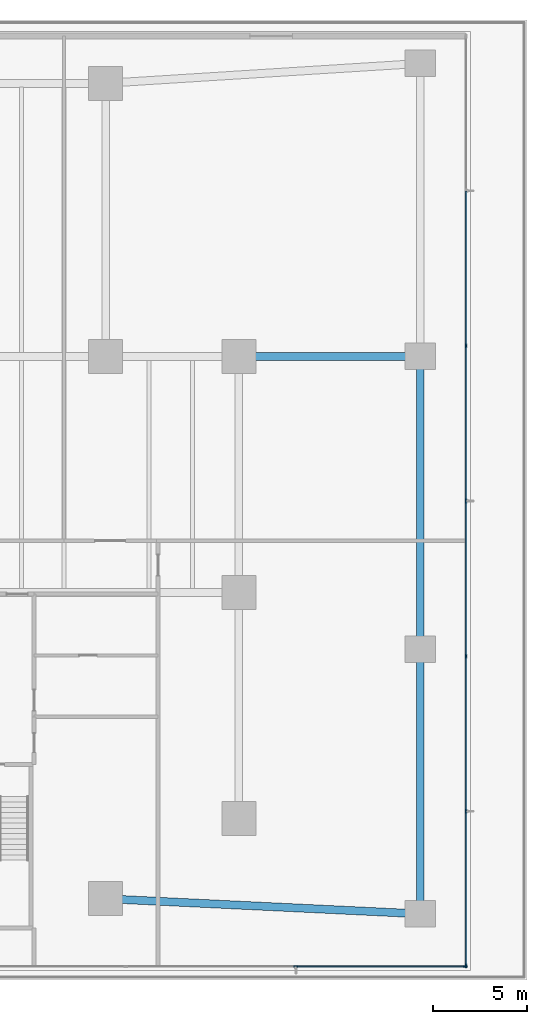
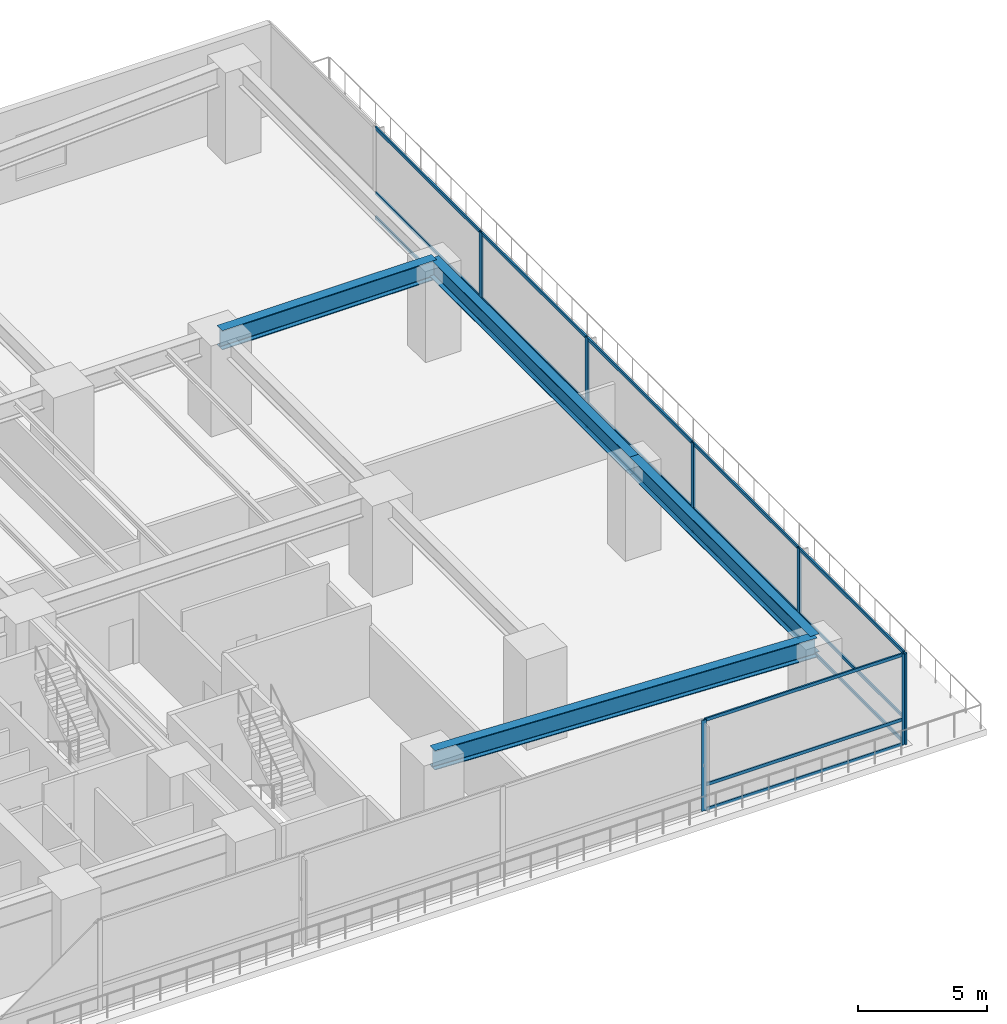
# One storey, part 7 of 28: 25 members, 4 beams, 2 elements without a shape of their own.
"""IFC4 building model written with IfcOpenShell, lengths in metres."""

from ifc_helpers import new_model, si_unit, direction, frame, origin, origin_2d, place, context, subcontext, project, spatial, rectangle, i_section, extrude, material, layer, layer_set, material_profile, profile_set, type_object, element, aggregate, save


model = new_model("IFC4")

# Units and contexts
model_context = context("Model", 3, precision=1e-05, world=origin(), true_north=direction((0.0, 1.0)))
body_context = subcontext(model_context, "Body", "Model", "MODEL_VIEW")
ifc_project = project(units=[si_unit("LENGTHUNIT", "METRE"), si_unit("AREAUNIT", "SQUARE_METRE"), si_unit("VOLUMEUNIT", "CUBIC_METRE"), si_unit("PLANEANGLEUNIT", "RADIAN"), si_unit("MASSUNIT", "GRAM", prefix="KILO")], contexts=[model_context])

# Site, building, storey
site_placement = place(None, origin())
site = spatial("IfcSite", under=ifc_project, at=site_placement, CompositionType="ELEMENT")
building_placement = place(site_placement, origin())
building = spatial("IfcBuilding", under=site, at=building_placement, Name="Qalmaran Belvedere Hotel", CompositionType="ELEMENT")
storey_placement = place(building_placement, frame((0.0, 0.0, 10.0)))
storey = spatial("IfcBuildingStorey", under=building, at=storey_placement, Name="L02", CompositionType="ELEMENT", Elevation=10.0)

# Beams
ifc_material_1 = material(Name="Steel S355JR", Category="steel")
ifc_material_profile_1 = material_profile(ifc_material_1, i_section(OverallWidth=0.419921875, OverallDepth=0.9208984375, WebThickness=0.021240234375, FlangeThickness=0.03662109375, FilletRadius=0.02392578125, at=origin_2d()), Name="W920X387")
ifc_profile_set_1 = profile_set([ifc_material_profile_1], Name="Steel S355JR")
beam_type_1 = type_object("IfcBeamType", Name="BM-PG1-W920X387", PredefinedType="USERDEFINED", material=ifc_profile_set_1)
beam_1_placement = place(storey_placement, frame((53.699951171875, 4.300048828125, 3.839599609375), z_axis=(0.998847567159, -0.047995182885, 0.0), x_axis=(0.047995182885, 0.998847567159, 0.0)))
element("IfcBeam", 1, at=beam_1_placement, inside=storey, type_object=beam_type_1, Name="L02 Podium Primary Girder GX06", ObjectType="GIRDER", PredefinedType="USERDEFINED", context=body_context, shape_type="SweptSolid", body=[
    extrude(i_section(OverallWidth=0.419921875, OverallDepth=0.9208984375, WebThickness=0.021240234375, FlangeThickness=0.03662109375, FilletRadius=0.02392578125, at=origin_2d()), origin(), (0.0, 0.0, 1.0), 16.66943359375),
])
beam_2_placement = place(storey_placement, frame((60.75, 33.0, 3.839599609375), z_axis=(1.0, 0.0, 0.0), x_axis=(0.0, 1.0, 0.0)))
element("IfcBeam", 2, at=beam_2_placement, inside=storey, type_object=beam_type_1, Name="L02 Podium Primary Girder GX21", ObjectType="GIRDER", PredefinedType="USERDEFINED", context=body_context, shape_type="SweptSolid", body=[
    extrude(i_section(OverallWidth=0.419921875, OverallDepth=0.9208984375, WebThickness=0.021240234375, FlangeThickness=0.03662109375, FilletRadius=0.02392578125, at=origin_2d()), origin(), (0.0, 0.0, 1.0), 9.60009765625),
])
ifc_material_profile_2 = material_profile(ifc_material_1, i_section(OverallWidth=0.39990234375, OverallDepth=0.85498046875, WebThickness=0.018310546875, FlangeThickness=0.029296875, FilletRadius=0.02392578125, at=origin_2d()), Name="W840X299")
ifc_profile_set_2 = profile_set([ifc_material_profile_2], Name="Steel S355JR")
beam_type_2 = type_object("IfcBeamType", Name="BM-PG3-W840X299", PredefinedType="USERDEFINED", material=ifc_profile_set_2)
beam_3_placement = place(storey_placement, frame((70.35009765625, 3.5, 3.87255859375), z_axis=(0.0, 1.0, 0.0), x_axis=(-1.0, 0.0, 0.0)))
element("IfcBeam", 3, at=beam_3_placement, inside=storey, type_object=beam_type_2, Name="L02 Podium Transverse Girder GY50", ObjectType="GIRDER", PredefinedType="USERDEFINED", context=body_context, shape_type="SweptSolid", body=[
    extrude(i_section(OverallWidth=0.39990234375, OverallDepth=0.85498046875, WebThickness=0.018310546875, FlangeThickness=0.029296875, FilletRadius=0.02392578125, at=origin_2d()), origin(), (0.0, 0.0, 1.0), 14.0),
])
beam_4_placement = place(storey_placement, frame((70.35009765625, 17.5, 3.87255859375), z_axis=(0.0, 1.0, 0.0), x_axis=(-1.0, 0.0, 0.0)))
element("IfcBeam", 4, at=beam_4_placement, inside=storey, type_object=beam_type_2, Name="L02 Podium Transverse Girder GY51", ObjectType="GIRDER", PredefinedType="USERDEFINED", context=body_context, shape_type="SweptSolid", body=[
    extrude(i_section(OverallWidth=0.39990234375, OverallDepth=0.85498046875, WebThickness=0.018310546875, FlangeThickness=0.029296875, FilletRadius=0.02392578125, at=origin_2d()), origin(), (0.0, 0.0, 1.0), 15.5),
])

# Curtain wall, members
ifc_material_2 = material(Name="Anodised Bronze Aluminium", Category="aluminium")
ifc_layer = layer(ifc_material_2, 0.219970703125, Name="Anodised Bronze Aluminium")
ifc_layer_set = layer_set([ifc_layer], Name="Anodised Bronze Aluminium")
curtain_wall_type = type_object("IfcCurtainWallType", Name="CW1-PODIUM-BRONZE", PredefinedType="NOTDEFINED", material=ifc_layer_set)
curtain_wall_1_placement = place(storey_placement, origin())
curtain_wall_1 = element("IfcCurtainWall", 5, at=curtain_wall_1_placement, inside=storey, type_object=curtain_wall_type, Name="L02 Curtain Wall CW1", PredefinedType="NOTDEFINED")
ifc_material_profile_3 = material_profile(ifc_material_2, rectangle(XDim=0.074951171875, YDim=0.219970703125, at=origin_2d()), Name="CWM75X220")
ifc_profile_set_3 = profile_set([ifc_material_profile_3], Name="Anodised Bronze Aluminium")
member_type_1 = type_object("IfcMemberType", Name="CWM-75X220", PredefinedType="MULLION", material=ifc_profile_set_3)
member_1_placement = place(storey_placement, frame((63.7724609375, 0.719970703125, 0.0), z_axis=(0.0, 0.0, 1.0), x_axis=(0.0, 1.0, 0.0)))
member_1 = element("IfcMember", 6, at=member_1_placement, type_object=member_type_1, Name="CW1 mullion 8", PredefinedType="MULLION", context=body_context, shape_type="SweptSolid", body=[
    extrude(rectangle(XDim=0.074951171875, YDim=0.219970703125, at=origin_2d()), origin(), (0.0, 0.0, 1.0), 4.300048828125),
])
member_2_placement = place(storey_placement, frame((72.742431640625, 0.719970703125, 0.0), z_axis=(0.0, 0.0, 1.0), x_axis=(0.0, 1.0, 0.0)))
member_2 = element("IfcMember", 7, at=member_2_placement, type_object=member_type_1, Name="CW1 mullion 9", PredefinedType="MULLION", context=body_context, shape_type="SweptSolid", body=[
    extrude(rectangle(XDim=0.074951171875, YDim=0.219970703125, at=origin_2d()), origin(), (0.0, 0.0, 1.0), 4.300048828125),
])

curtain_wall_2_placement = place(storey_placement, origin())
curtain_wall_2 = element("IfcCurtainWall", 8, at=curtain_wall_2_placement, inside=storey, type_object=curtain_wall_type, Name="L02 Curtain Wall CW1", PredefinedType="NOTDEFINED")
member_3_placement = place(storey_placement, frame((72.780029296875, 0.757568359375, 0.0), z_axis=(0.0, 0.0, 1.0), x_axis=(-1.0, 0.0, 0.0)))
member_3 = element("IfcMember", 9, at=member_3_placement, type_object=member_type_1, Name="CW1 mullion 1", PredefinedType="MULLION", context=body_context, shape_type="SweptSolid", body=[
    extrude(rectangle(XDim=0.074951171875, YDim=0.219970703125, at=origin_2d()), origin(), (0.0, 0.0, 1.0), 4.300048828125),
])
member_4_placement = place(storey_placement, frame((72.780029296875, 8.929931640625, 0.0), z_axis=(0.0, 0.0, 1.0), x_axis=(-1.0, 0.0, 0.0)))
member_4 = element("IfcMember", 10, at=member_4_placement, type_object=member_type_1, Name="CW1 mullion 2", PredefinedType="MULLION", context=body_context, shape_type="SweptSolid", body=[
    extrude(rectangle(XDim=0.074951171875, YDim=0.219970703125, at=origin_2d()), origin(), (0.0, 0.0, 1.0), 4.300048828125),
])
member_5_placement = place(storey_placement, frame((72.780029296875, 17.139892578125, 0.0), z_axis=(0.0, 0.0, 1.0), x_axis=(-1.0, 0.0, 0.0)))
member_5 = element("IfcMember", 11, at=member_5_placement, type_object=member_type_1, Name="CW1 mullion 3", PredefinedType="MULLION", context=body_context, shape_type="SweptSolid", body=[
    extrude(rectangle(XDim=0.074951171875, YDim=0.219970703125, at=origin_2d()), origin(), (0.0, 0.0, 1.0), 4.300048828125),
])
member_6_placement = place(storey_placement, frame((72.780029296875, 25.35009765625, 0.0), z_axis=(0.0, 0.0, 1.0), x_axis=(-1.0, 0.0, 0.0)))
member_6 = element("IfcMember", 12, at=member_6_placement, type_object=member_type_1, Name="CW1 mullion 4", PredefinedType="MULLION", context=body_context, shape_type="SweptSolid", body=[
    extrude(rectangle(XDim=0.074951171875, YDim=0.219970703125, at=origin_2d()), origin(), (0.0, 0.0, 1.0), 4.300048828125),
])
member_7_placement = place(storey_placement, frame((72.780029296875, 33.56005859375, 0.0), z_axis=(0.0, 0.0, 1.0), x_axis=(-1.0, 0.0, 0.0)))
member_7 = element("IfcMember", 13, at=member_7_placement, type_object=member_type_1, Name="CW1 mullion 5", PredefinedType="MULLION", context=body_context, shape_type="SweptSolid", body=[
    extrude(rectangle(XDim=0.074951171875, YDim=0.219970703125, at=origin_2d()), origin(), (0.0, 0.0, 1.0), 4.300048828125),
])

# Member
ifc_material_profile_4 = material_profile(ifc_material_2, rectangle(XDim=0.070068359375, YDim=0.14990234375, at=origin_2d()), Name="CWT70X150")
ifc_profile_set_4 = profile_set([ifc_material_profile_4], Name="Anodised Bronze Aluminium")
member_type_2 = type_object("IfcMemberType", Name="CWT-70X150", PredefinedType="USERDEFINED", material=ifc_profile_set_4)
member_8_placement = place(storey_placement, frame((63.81005859375, 0.719970703125, 0.034912109375), z_axis=(1.0, 0.0, 0.0), x_axis=(0.0, 1.0, 0.0)))
member_8 = element("IfcMember", 14, at=member_8_placement, type_object=member_type_2, Name="CW1 transom 8.1", ObjectType="TRANSOM", PredefinedType="USERDEFINED", context=body_context, shape_type="SweptSolid", body=[
    extrude(rectangle(XDim=0.070068359375, YDim=0.14990234375, at=origin_2d()), origin(), (0.0, 0.0, 1.0), 8.89501953125),
])

member_9_placement = place(storey_placement, frame((63.81005859375, 0.719970703125, 1.2041015625), z_axis=(1.0, 0.0, 0.0), x_axis=(0.0, 1.0, 0.0)))
member_9 = element("IfcMember", 15, at=member_9_placement, type_object=member_type_2, Name="CW1 transom 8.2", ObjectType="TRANSOM", PredefinedType="USERDEFINED", context=body_context, shape_type="SweptSolid", body=[
    extrude(rectangle(XDim=0.070068359375, YDim=0.14990234375, at=origin_2d()), origin(), (0.0, 0.0, 1.0), 8.89501953125),
])

member_10_placement = place(storey_placement, frame((63.81005859375, 0.719970703125, 4.264892578125), z_axis=(1.0, 0.0, 0.0), x_axis=(0.0, 1.0, 0.0)))
member_10 = element("IfcMember", 16, at=member_10_placement, type_object=member_type_2, Name="CW1 transom 8.3", ObjectType="TRANSOM", PredefinedType="USERDEFINED", context=body_context, shape_type="SweptSolid", body=[
    extrude(rectangle(XDim=0.070068359375, YDim=0.14990234375, at=origin_2d()), origin(), (0.0, 0.0, 1.0), 8.89501953125),
])

aggregate(curtain_wall_1, [member_1, member_2, member_8, member_9, member_10])

member_11_placement = place(storey_placement, frame((72.780029296875, 0.794921875, 0.034912109375), z_axis=(0.0, 1.0, 0.0), x_axis=(-1.0, 0.0, 0.0)))
member_11 = element("IfcMember", 17, at=member_11_placement, type_object=member_type_2, Name="CW1 transom 1.1", ObjectType="TRANSOM", PredefinedType="USERDEFINED", context=body_context, shape_type="SweptSolid", body=[
    extrude(rectangle(XDim=0.070068359375, YDim=0.14990234375, at=origin_2d()), origin(), (0.0, 0.0, 1.0), 8.09765625),
])

member_12_placement = place(storey_placement, frame((72.780029296875, 0.794921875, 1.2041015625), z_axis=(0.0, 1.0, 0.0), x_axis=(-1.0, 0.0, 0.0)))
member_12 = element("IfcMember", 18, at=member_12_placement, type_object=member_type_2, Name="CW1 transom 1.2", ObjectType="TRANSOM", PredefinedType="USERDEFINED", context=body_context, shape_type="SweptSolid", body=[
    extrude(rectangle(XDim=0.070068359375, YDim=0.14990234375, at=origin_2d()), origin(), (0.0, 0.0, 1.0), 8.09765625),
])

member_13_placement = place(storey_placement, frame((72.780029296875, 0.794921875, 4.264892578125), z_axis=(0.0, 1.0, 0.0), x_axis=(-1.0, 0.0, 0.0)))
member_13 = element("IfcMember", 19, at=member_13_placement, type_object=member_type_2, Name="CW1 transom 1.3", ObjectType="TRANSOM", PredefinedType="USERDEFINED", context=body_context, shape_type="SweptSolid", body=[
    extrude(rectangle(XDim=0.070068359375, YDim=0.14990234375, at=origin_2d()), origin(), (0.0, 0.0, 1.0), 8.09765625),
])

member_14_placement = place(storey_placement, frame((72.780029296875, 8.967529296875, 0.034912109375), z_axis=(0.0, 1.0, 0.0), x_axis=(-1.0, 0.0, 0.0)))
member_14 = element("IfcMember", 20, at=member_14_placement, type_object=member_type_2, Name="CW1 transom 2.1", ObjectType="TRANSOM", PredefinedType="USERDEFINED", context=body_context, shape_type="SweptSolid", body=[
    extrude(rectangle(XDim=0.070068359375, YDim=0.14990234375, at=origin_2d()), origin(), (0.0, 0.0, 1.0), 8.135009765625),
])

member_15_placement = place(storey_placement, frame((72.780029296875, 8.967529296875, 1.2041015625), z_axis=(0.0, 1.0, 0.0), x_axis=(-1.0, 0.0, 0.0)))
member_15 = element("IfcMember", 21, at=member_15_placement, type_object=member_type_2, Name="CW1 transom 2.2", ObjectType="TRANSOM", PredefinedType="USERDEFINED", context=body_context, shape_type="SweptSolid", body=[
    extrude(rectangle(XDim=0.070068359375, YDim=0.14990234375, at=origin_2d()), origin(), (0.0, 0.0, 1.0), 8.135009765625),
])

member_16_placement = place(storey_placement, frame((72.780029296875, 8.967529296875, 4.264892578125), z_axis=(0.0, 1.0, 0.0), x_axis=(-1.0, 0.0, 0.0)))
member_16 = element("IfcMember", 22, at=member_16_placement, type_object=member_type_2, Name="CW1 transom 2.3", ObjectType="TRANSOM", PredefinedType="USERDEFINED", context=body_context, shape_type="SweptSolid", body=[
    extrude(rectangle(XDim=0.070068359375, YDim=0.14990234375, at=origin_2d()), origin(), (0.0, 0.0, 1.0), 8.135009765625),
])

member_17_placement = place(storey_placement, frame((72.780029296875, 17.177490234375, 0.034912109375), z_axis=(0.0, 1.0, 0.0), x_axis=(-1.0, 0.0, 0.0)))
member_17 = element("IfcMember", 23, at=member_17_placement, type_object=member_type_2, Name="CW1 transom 3.1", ObjectType="TRANSOM", PredefinedType="USERDEFINED", context=body_context, shape_type="SweptSolid", body=[
    extrude(rectangle(XDim=0.070068359375, YDim=0.14990234375, at=origin_2d()), origin(), (0.0, 0.0, 1.0), 8.135009765625),
])

member_18_placement = place(storey_placement, frame((72.780029296875, 17.177490234375, 1.2041015625), z_axis=(0.0, 1.0, 0.0), x_axis=(-1.0, 0.0, 0.0)))
member_18 = element("IfcMember", 24, at=member_18_placement, type_object=member_type_2, Name="CW1 transom 3.2", ObjectType="TRANSOM", PredefinedType="USERDEFINED", context=body_context, shape_type="SweptSolid", body=[
    extrude(rectangle(XDim=0.070068359375, YDim=0.14990234375, at=origin_2d()), origin(), (0.0, 0.0, 1.0), 8.135009765625),
])

member_19_placement = place(storey_placement, frame((72.780029296875, 17.177490234375, 4.264892578125), z_axis=(0.0, 1.0, 0.0), x_axis=(-1.0, 0.0, 0.0)))
member_19 = element("IfcMember", 25, at=member_19_placement, type_object=member_type_2, Name="CW1 transom 3.3", ObjectType="TRANSOM", PredefinedType="USERDEFINED", context=body_context, shape_type="SweptSolid", body=[
    extrude(rectangle(XDim=0.070068359375, YDim=0.14990234375, at=origin_2d()), origin(), (0.0, 0.0, 1.0), 8.135009765625),
])

member_20_placement = place(storey_placement, frame((72.780029296875, 25.387451171875, 0.034912109375), z_axis=(0.0, 1.0, 0.0), x_axis=(-1.0, 0.0, 0.0)))
member_20 = element("IfcMember", 26, at=member_20_placement, type_object=member_type_2, Name="CW1 transom 4.1", ObjectType="TRANSOM", PredefinedType="USERDEFINED", context=body_context, shape_type="SweptSolid", body=[
    extrude(rectangle(XDim=0.070068359375, YDim=0.14990234375, at=origin_2d()), origin(), (0.0, 0.0, 1.0), 8.135009765625),
])

member_21_placement = place(storey_placement, frame((72.780029296875, 25.387451171875, 1.2041015625), z_axis=(0.0, 1.0, 0.0), x_axis=(-1.0, 0.0, 0.0)))
member_21 = element("IfcMember", 27, at=member_21_placement, type_object=member_type_2, Name="CW1 transom 4.2", ObjectType="TRANSOM", PredefinedType="USERDEFINED", context=body_context, shape_type="SweptSolid", body=[
    extrude(rectangle(XDim=0.070068359375, YDim=0.14990234375, at=origin_2d()), origin(), (0.0, 0.0, 1.0), 8.135009765625),
])

member_22_placement = place(storey_placement, frame((72.780029296875, 25.387451171875, 4.264892578125), z_axis=(0.0, 1.0, 0.0), x_axis=(-1.0, 0.0, 0.0)))
member_22 = element("IfcMember", 28, at=member_22_placement, type_object=member_type_2, Name="CW1 transom 4.3", ObjectType="TRANSOM", PredefinedType="USERDEFINED", context=body_context, shape_type="SweptSolid", body=[
    extrude(rectangle(XDim=0.070068359375, YDim=0.14990234375, at=origin_2d()), origin(), (0.0, 0.0, 1.0), 8.135009765625),
])

member_23_placement = place(storey_placement, frame((72.780029296875, 33.597412109375, 0.034912109375), z_axis=(0.0, 1.0, 0.0), x_axis=(-1.0, 0.0, 0.0)))
member_23 = element("IfcMember", 29, at=member_23_placement, type_object=member_type_2, Name="CW1 transom 5.1", ObjectType="TRANSOM", PredefinedType="USERDEFINED", context=body_context, shape_type="SweptSolid", body=[
    extrude(rectangle(XDim=0.070068359375, YDim=0.14990234375, at=origin_2d()), origin(), (0.0, 0.0, 1.0), 8.135009765625),
])

member_24_placement = place(storey_placement, frame((72.780029296875, 33.597412109375, 1.2041015625), z_axis=(0.0, 1.0, 0.0), x_axis=(-1.0, 0.0, 0.0)))
member_24 = element("IfcMember", 30, at=member_24_placement, type_object=member_type_2, Name="CW1 transom 5.2", ObjectType="TRANSOM", PredefinedType="USERDEFINED", context=body_context, shape_type="SweptSolid", body=[
    extrude(rectangle(XDim=0.070068359375, YDim=0.14990234375, at=origin_2d()), origin(), (0.0, 0.0, 1.0), 8.135009765625),
])

member_25_placement = place(storey_placement, frame((72.780029296875, 33.597412109375, 4.264892578125), z_axis=(0.0, 1.0, 0.0), x_axis=(-1.0, 0.0, 0.0)))
member_25 = element("IfcMember", 31, at=member_25_placement, type_object=member_type_2, Name="CW1 transom 5.3", ObjectType="TRANSOM", PredefinedType="USERDEFINED", context=body_context, shape_type="SweptSolid", body=[
    extrude(rectangle(XDim=0.070068359375, YDim=0.14990234375, at=origin_2d()), origin(), (0.0, 0.0, 1.0), 8.135009765625),
])

aggregate(curtain_wall_2, [member_3, member_4, member_5, member_6, member_7, member_11, member_12, member_13, member_14, member_15, member_16, member_17, member_18, member_19, member_20, member_21, member_22, member_23, member_24, member_25])

save(model, "model.ifc")
